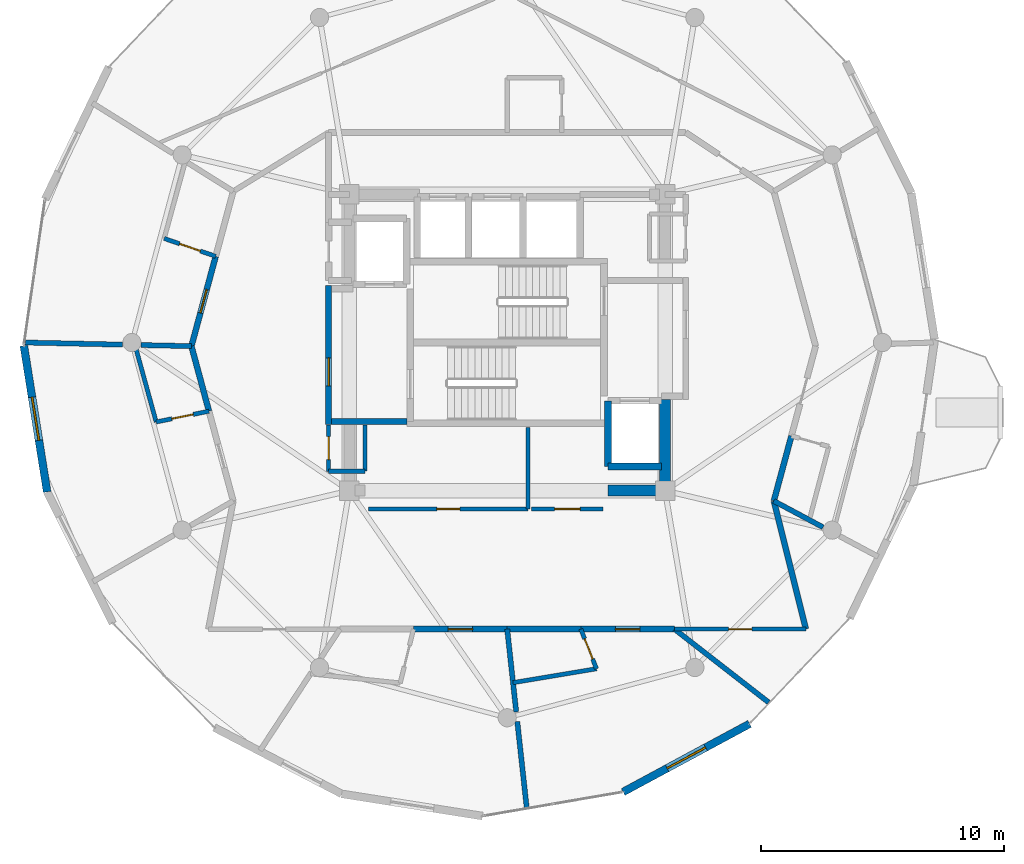
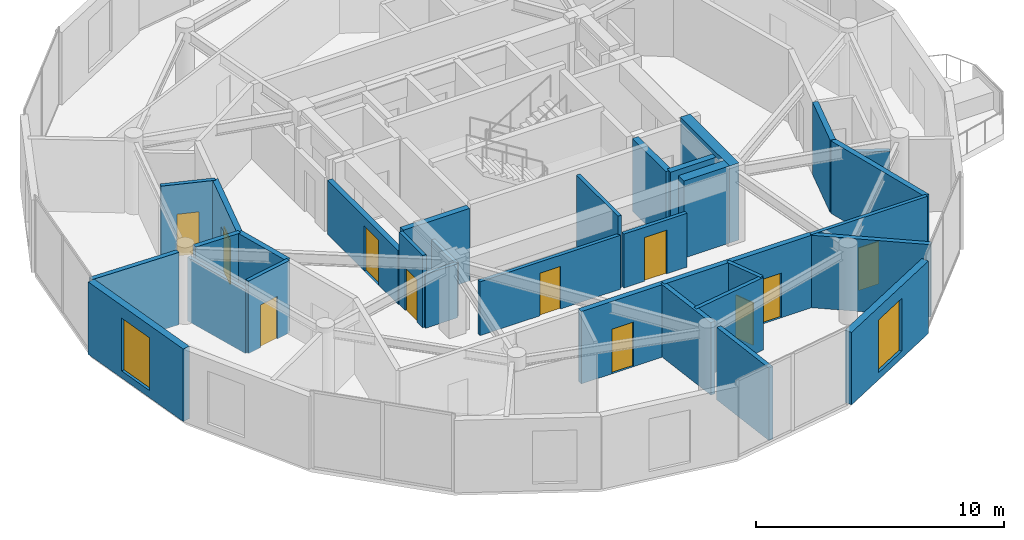
# One storey, part 17 of 22: 33 walls, 11 doors, 2 windows, 13 openings.
"""IFC4 building model written with IfcOpenShell, lengths in metres."""

from ifc_helpers import new_model, si_unit, direction, frame, frame_2d, origin, place, context, subcontext, project, spatial, rectangle, extrude, material, layer, layer_set, type_object, element, fill, save


model = new_model("IFC4")

# Units and contexts
model_context = context("Model", 3, precision=1e-05, world=origin(), true_north=direction((0.0, 1.0)))
body_context = subcontext(model_context, "Body", "Model", "MODEL_VIEW")
ifc_project = project(units=[si_unit("LENGTHUNIT", "METRE"), si_unit("AREAUNIT", "SQUARE_METRE"), si_unit("VOLUMEUNIT", "CUBIC_METRE"), si_unit("PLANEANGLEUNIT", "RADIAN"), si_unit("MASSUNIT", "GRAM", prefix="KILO")], contexts=[model_context])

# Site, building, storey
site_placement = place(None, origin())
site = spatial("IfcSite", under=ifc_project, at=site_placement, CompositionType="ELEMENT")
building_placement = place(site_placement, origin())
building = spatial("IfcBuilding", under=site, at=building_placement, Name="Solvirekh Grand Hotel", CompositionType="ELEMENT")
storey_placement = place(building_placement, frame((0.0, 0.0, 278.199951171875)))
storey = spatial("IfcBuildingStorey", under=building, at=storey_placement, Name="L72", CompositionType="ELEMENT", Elevation=278.199951171875)

# Walls
ifc_material_1 = material(Name="Concrete C40/50", Category="concrete")
ifc_layer_1 = layer(ifc_material_1, 0.280029296875)
ifc_layer_set_1 = layer_set([ifc_layer_1], Name="Concrete C40/50")
wall_type_1 = type_object("IfcWallType", Name="CoreShaftWall_RC280", PredefinedType="SOLIDWALL", material=ifc_layer_set_1)
wall_1_placement = place(storey_placement, frame((4.14990234375, -5.10009765625, 0.0), z_axis=(0.0, 0.0, 1.0), x_axis=(1.0, 0.0, 0.0)))
element("IfcWall", 1, at=wall_1_placement, inside=storey, type_object=wall_type_1, Name="L72 FL-2 hoistway S wall", PredefinedType="SOLIDWALL", context=body_context, shape_type="SweptSolid", body=[
    extrude(rectangle(XDim=2.2001953125, YDim=0.280029296875, at=frame_2d((1.10009765625, 0.0))), origin(), (0.0, 0.0, 1.0), 3.570068359375),
])
wall_2_placement = place(storey_placement, frame((4.14990234375, -2.39990234375, 0.0), z_axis=(0.0, 0.0, 1.0), x_axis=(0.0, -1.0, 0.0)))
element("IfcWall", 2, at=wall_2_placement, inside=storey, type_object=wall_type_1, Name="L72 FL-2 hoistway W wall", PredefinedType="SOLIDWALL", context=body_context, shape_type="SweptSolid", body=[
    extrude(rectangle(XDim=2.7001953125, YDim=0.280029296875, at=frame_2d((1.35009765625, 0.0))), origin(), (0.0, 0.0, 1.0), 3.570068359375),
])
ifc_material_2 = material(Name="Concrete C50/60", Category="concrete")
ifc_layer_2 = layer(ifc_material_2, 0.449951171875)
ifc_layer_set_2 = layer_set([ifc_layer_2], Name="Concrete C50/60")
wall_type_2 = type_object("IfcWallType", Name="CoreWall_RC450", PredefinedType="SHEAR", material=ifc_layer_set_2)
wall_3_placement = place(storey_placement, frame((4.14990234375, -6.10009765625, 0.0), z_axis=(0.0, 0.0, 1.0), x_axis=(1.0, 0.0, 0.0)))
element("IfcWall", 3, at=wall_3_placement, inside=storey, type_object=wall_type_2, Name="L72 core corner shear wall SE-S", PredefinedType="SHEAR", context=body_context, shape_type="SweptSolid", body=[
    extrude(rectangle(XDim=2.125, YDim=0.449951171875, at=frame_2d((1.0625, 0.0))), origin(), (0.0, 0.0, 1.0), 3.800048828125),
])
wall_4_placement = place(storey_placement, frame((6.5, -6.324951171875, 0.0), z_axis=(0.0, 0.0, 1.0), x_axis=(0.0, 1.0, 0.0)))
element("IfcWall", 4, at=wall_4_placement, inside=storey, type_object=wall_type_2, Name="L72 core corner shear wall ES-E", PredefinedType="SHEAR", context=body_context, shape_type="SweptSolid", body=[
    extrude(rectangle(XDim=3.974853515625, YDim=0.449951171875, at=frame_2d((1.9873046875, 0.0))), origin(), (0.0, 0.0, 1.0), 3.800048828125),
])

# Wall, opening, window
ifc_material_3 = material(Name="Precast concrete C45/55", Category="concrete")
ifc_layer_3 = layer(ifc_material_3, 0.320068359375)
ifc_layer_set_3 = layer_set([ifc_layer_3], Name="Precast concrete C45/55")
wall_type_3 = type_object("IfcWallType", Name="ExtLobbyWall_RC320", PredefinedType="SOLIDWALL", material=ifc_layer_set_3)
wall_5_placement = place(storey_placement, frame((9.98095703125, -15.698974609375, 0.0), z_axis=(0.0, 0.0, 1.0), x_axis=(-0.880358436165, -0.474308996196, 0.0)))
wall_5 = element("IfcWall", 5, at=wall_5_placement, inside=storey, type_object=wall_type_3, Name="L72 exterior structural wall chord 2", PredefinedType="SOLIDWALL", context=body_context, shape_type="SweptSolid", body=[
    extrude(rectangle(XDim=5.915771484375, YDim=0.320068359375, at=frame_2d((2.9580078125, 0.0))), origin(), (0.0, 0.0, 1.0), 3.570068359375),
])
opening_1_placement = place(wall_5_placement, frame((2.05810546875, 0.0, 0.35009765625)))
opening_1 = element("IfcOpeningElement", 6, at=opening_1_placement, cuts=wall_5, Name="Opening W02", PredefinedType="OPENING", context=body_context, shape_type="SweptSolid", body=[
    extrude(rectangle(XDim=1.800048828125, YDim=2.60009765625, at=frame_2d((0.89990234375, 1.300048828125))), frame((0.0, 0.169921875, 0.0), z_axis=(0.0, -1.0, 0.0), x_axis=(1.0, 0.0, 0.0)), (0.0, 0.0, 1.0), 0.340087890625),
])
ifc_material_4 = material(Name="Low-E Tinted Bronze Laminated Glass", Category="aluminium")
window_type = type_object("IfcWindowType", Name="Win_LobbyExt_1800X2600", PartitioningType="SINGLE_PANEL", PredefinedType="WINDOW", material=ifc_material_4)
window_1_placement = place(opening_1_placement, origin())
window_1 = element("IfcWindow", 7, at=window_1_placement, inside=storey, type_object=window_type, Name="L72 panoramic bronze-framed window 2", OverallHeight=2.60009765625, OverallWidth=1.800048828125, PartitioningType="SINGLE_PANEL", PredefinedType="WINDOW", context=body_context, shape_type="SweptSolid", body=[
    extrude(rectangle(XDim=1.800048828125, YDim=2.60009765625, at=frame_2d((0.89990234375, 1.300048828125))), frame((0.0, 0.030029296875, 0.0), z_axis=(0.0, -1.0, 0.0), x_axis=(1.0, 0.0, 0.0)), (0.0, 0.0, 1.0), 0.06005859375),
])
fill(opening_1, window_1)

wall_6_placement = place(storey_placement, frame((-18.93994140625, -6.14990234375, 0.0), z_axis=(0.0, 0.0, 1.0), x_axis=(-0.157503052102, 0.987518500373, 0.0)))
wall_6 = element("IfcWall", 8, at=wall_6_placement, inside=storey, type_object=wall_type_3, Name="L72 exterior structural wall chord 16", PredefinedType="SOLIDWALL", context=body_context, shape_type="SweptSolid", body=[
    extrude(rectangle(XDim=6.094970703125, YDim=0.320068359375, at=frame_2d((3.04736328125, 0.0))), origin(), (0.0, 0.0, 1.0), 3.570068359375),
])
opening_2_placement = place(wall_6_placement, frame((2.14794921875, 0.0, 0.35009765625)))
opening_2 = element("IfcOpeningElement", 9, at=opening_2_placement, cuts=wall_6, Name="Opening W02", PredefinedType="OPENING", context=body_context, shape_type="SweptSolid", body=[
    extrude(rectangle(XDim=1.800048828125, YDim=2.60009765625, at=frame_2d((0.89990234375, 1.300048828125))), frame((0.0, 0.169921875, 0.0), z_axis=(0.0, -1.0, 0.0), x_axis=(1.0, 0.0, 0.0)), (0.0, 0.0, 1.0), 0.340087890625),
])
window_2_placement = place(opening_2_placement, origin())
window_2 = element("IfcWindow", 10, at=window_2_placement, inside=storey, type_object=window_type, Name="L72 panoramic bronze-framed window 16", OverallHeight=2.60009765625, OverallWidth=1.800048828125, PartitioningType="SINGLE_PANEL", PredefinedType="WINDOW", context=body_context, shape_type="SweptSolid", body=[
    extrude(rectangle(XDim=1.800048828125, YDim=2.60009765625, at=frame_2d((0.89990234375, 1.300048828125))), frame((0.0, 0.030029296875, 0.0), z_axis=(0.0, -1.0, 0.0), x_axis=(1.0, 0.0, 0.0)), (0.0, 0.0, 1.0), 0.06005859375),
])
fill(opening_2, window_2)

# Walls
ifc_material_5 = material(Name="Acoustic Gypsum Partition Assembly")
ifc_layer_4 = layer(ifc_material_5, 0.1650390625)
ifc_layer_set_4 = layer_set([ifc_layer_4], Name="Acoustic Gypsum Partition Assembly")
wall_type_4 = type_object("IfcWallType", Name="Part_BOH_165", PredefinedType="PARTITIONING", material=ifc_layer_set_4)
wall_7_placement = place(storey_placement, frame((-7.35009765625, -5.300048828125, 0.0), z_axis=(0.0, 0.0, 1.0), x_axis=(1.0, 0.0, 0.0)))
element("IfcWall", 11, at=wall_7_placement, inside=storey, type_object=wall_type_4, Name="L72 L72 Butler Service Closet wall 1", PredefinedType="PARTITIONING", context=body_context, shape_type="SweptSolid", body=[
    extrude(rectangle(XDim=1.5, YDim=0.1650390625, at=frame_2d((0.75, 0.0))), origin(), (0.0, 0.0, 1.0), 2.655029296875),
])
wall_8_placement = place(storey_placement, frame((-5.85009765625, -5.300048828125, 0.0), z_axis=(0.0, 0.0, 1.0), x_axis=(0.0, 1.0, 0.0)))
element("IfcWall", 12, at=wall_8_placement, inside=storey, type_object=wall_type_4, Name="L72 L72 Butler Service Closet wall 2", PredefinedType="PARTITIONING", context=body_context, shape_type="SweptSolid", body=[
    extrude(rectangle(XDim=1.900146484375, YDim=0.1650390625, at=frame_2d((0.9501953125, 0.0))), origin(), (0.0, 0.0, 1.0), 2.655029296875),
])

# Wall, opening, door
wall_9_placement = place(storey_placement, frame((-7.35009765625, -3.39990234375, 0.0), z_axis=(0.0, 0.0, 1.0), x_axis=(0.0, -1.0, 0.0)))
wall_9 = element("IfcWall", 13, at=wall_9_placement, inside=storey, type_object=wall_type_4, Name="L72 L72 Butler Service Closet wall 4", PredefinedType="PARTITIONING", context=body_context, shape_type="SweptSolid", body=[
    extrude(rectangle(XDim=1.900146484375, YDim=0.1650390625, at=frame_2d((0.9501953125, 0.0))), origin(), (0.0, 0.0, 1.0), 3.570068359375),
])
opening_3_placement = place(wall_9_placement, frame((0.47509765625, 0.0, 0.0)))
opening_3 = element("IfcOpeningElement", 14, at=opening_3_placement, cuts=wall_9, Name="Opening D10", PredefinedType="OPENING", context=body_context, shape_type="SweptSolid", body=[
    extrude(rectangle(XDim=0.949951171875, YDim=2.10009765625, at=frame_2d((0.47509765625, 1.050048828125))), frame((0.0, 0.092529296875, 0.0), z_axis=(0.0, -1.0, 0.0), x_axis=(1.0, 0.0, 0.0)), (0.0, 0.0, 1.0), 0.18505859375),
])
ifc_material_6 = material(Name="Anodized Bronze Aluminium 6063-T6", Category="aluminium")
door_type_1 = type_object("IfcDoorType", Name="Door_RoomInt_950X2100", OperationType="NOTDEFINED", PredefinedType="DOOR", material=ifc_material_6)
door_1_placement = place(opening_3_placement, origin())
door_1 = element("IfcDoor", 15, at=door_1_placement, inside=storey, type_object=door_type_1, Name="L72 L72 Butler Service Closet door", OperationType="SINGLE_SWING_RIGHT", OverallHeight=2.10009765625, OverallWidth=0.949951171875, PredefinedType="DOOR", context=body_context, shape_type="SweptSolid", body=[
    extrude(rectangle(XDim=0.949951171875, YDim=2.10009765625, at=frame_2d((0.47509765625, 1.050048828125))), frame((0.0, 0.02490234375, 0.0), z_axis=(0.0, -1.0, 0.0), x_axis=(1.0, 0.0, 0.0)), (0.0, 0.0, 1.0), 0.050048828125),
])
fill(opening_3, door_1)

wall_10_placement = place(storey_placement, frame((-5.699951171875, -6.85009765625, 0.0), z_axis=(0.0, 0.0, 1.0), x_axis=(1.0, 0.0, 0.0)))
wall_10 = element("IfcWall", 16, at=wall_10_placement, inside=storey, type_object=wall_type_4, Name="L72 Housekeeping Linen Room wall 1", PredefinedType="PARTITIONING", context=body_context, shape_type="SweptSolid", body=[
    extrude(rectangle(XDim=6.550048828125, YDim=0.1650390625, at=frame_2d((3.27490234375, 0.0))), origin(), (0.0, 0.0, 1.0), 2.655029296875),
])
opening_4_placement = place(wall_10_placement, frame((2.800048828125, 0.0, 0.0)))
opening_4 = element("IfcOpeningElement", 17, at=opening_4_placement, cuts=wall_10, Name="Opening D10", PredefinedType="OPENING", context=body_context, shape_type="SweptSolid", body=[
    extrude(rectangle(XDim=0.949951171875, YDim=2.10009765625, at=frame_2d((0.47509765625, 1.050048828125))), frame((0.0, 0.092529296875, 0.0), z_axis=(0.0, -1.0, 0.0), x_axis=(1.0, 0.0, 0.0)), (0.0, 0.0, 1.0), 0.18505859375),
])
door_2_placement = place(opening_4_placement, origin())
door_2 = element("IfcDoor", 18, at=door_2_placement, inside=storey, type_object=door_type_1, Name="L72 Housekeeping Linen Room door", OperationType="SINGLE_SWING_RIGHT", OverallHeight=2.10009765625, OverallWidth=0.949951171875, PredefinedType="DOOR", context=body_context, shape_type="SweptSolid", body=[
    extrude(rectangle(XDim=0.949951171875, YDim=2.10009765625, at=frame_2d((0.47509765625, 1.050048828125))), frame((0.0, 0.02490234375, 0.0), z_axis=(0.0, -1.0, 0.0), x_axis=(1.0, 0.0, 0.0)), (0.0, 0.0, 1.0), 0.050048828125),
])
fill(opening_4, door_2)

# Wall
wall_11_placement = place(storey_placement, frame((0.85009765625, -6.85009765625, 0.0), z_axis=(0.0, 0.0, 1.0), x_axis=(0.0, 1.0, 0.0)))
element("IfcWall", 19, at=wall_11_placement, inside=storey, type_object=wall_type_4, Name="L72 Housekeeping Linen Room wall 2", PredefinedType="PARTITIONING", context=body_context, shape_type="SweptSolid", body=[
    extrude(rectangle(XDim=3.35009765625, YDim=0.1650390625, at=frame_2d((1.675048828125, 0.0))), origin(), (0.0, 0.0, 1.0), 3.570068359375),
])

# Wall, opening, door
wall_12_placement = place(storey_placement, frame((1.0, -6.85009765625, 0.0), z_axis=(0.0, 0.0, 1.0), x_axis=(1.0, 0.0, 0.0)))
wall_12 = element("IfcWall", 20, at=wall_12_placement, inside=storey, type_object=wall_type_4, Name="L72 Chilled Water Manifold Room wall 1", PredefinedType="PARTITIONING", context=body_context, shape_type="SweptSolid", body=[
    extrude(rectangle(XDim=2.949951171875, YDim=0.1650390625, at=frame_2d((1.47509765625, 0.0))), origin(), (0.0, 0.0, 1.0), 2.655029296875),
])
opening_5_placement = place(wall_12_placement, frame((0.949951171875, 0.0, 0.0)))
opening_5 = element("IfcOpeningElement", 21, at=opening_5_placement, cuts=wall_12, Name="Opening D12", PredefinedType="OPENING", context=body_context, shape_type="SweptSolid", body=[
    extrude(rectangle(XDim=1.050048828125, YDim=2.14990234375, at=frame_2d((0.52490234375, 1.074951171875))), frame((0.0, 0.092529296875, 0.0), z_axis=(0.0, -1.0, 0.0), x_axis=(1.0, 0.0, 0.0)), (0.0, 0.0, 1.0), 0.18505859375),
])
ifc_material_7 = material(Name="Fire-Rated Steel Door Assembly", Category="steel")
door_type_2 = type_object("IfcDoorType", Name="Door_PlantBOH_1050X2150", OperationType="NOTDEFINED", PredefinedType="DOOR", material=ifc_material_7)
door_3_placement = place(opening_5_placement, origin())
door_3 = element("IfcDoor", 22, at=door_3_placement, inside=storey, type_object=door_type_2, Name="L72 Chilled Water Manifold Room door", OperationType="SINGLE_SWING_LEFT", OverallHeight=2.14990234375, OverallWidth=1.050048828125, PredefinedType="DOOR", context=body_context, shape_type="SweptSolid", body=[
    extrude(rectangle(XDim=1.050048828125, YDim=2.14990234375, at=frame_2d((0.52490234375, 1.074951171875))), frame((0.0, 0.02490234375, 0.0), z_axis=(0.0, -1.0, 0.0), x_axis=(1.0, 0.0, 0.0)), (0.0, 0.0, 1.0), 0.050048828125),
])
fill(opening_5, door_3)

wall_13_placement = place(storey_placement, frame((6.887939453125, -11.800048828125, 0.0), z_axis=(0.0, 0.0, 1.0), x_axis=(1.0, 0.0, 0.0)))
wall_13 = element("IfcWall", 23, at=wall_13_placement, inside=storey, type_object=wall_type_4, Name="L72 L72 Butler Valet & Linen Steward Room entrance wall", PredefinedType="PARTITIONING", context=body_context, shape_type="SweptSolid", body=[
    extrude(rectangle(XDim=5.412109375, YDim=0.1650390625, at=frame_2d((2.7060546875, 0.0))), origin(), (0.0, 0.0, 1.0), 3.570068359375),
])
opening_6_placement = place(wall_13_placement, frame((2.23095703125, 0.0, 0.0)))
opening_6 = element("IfcOpeningElement", 24, at=opening_6_placement, cuts=wall_13, Name="Opening D10", PredefinedType="OPENING", context=body_context, shape_type="SweptSolid", body=[
    extrude(rectangle(XDim=0.949951171875, YDim=2.10009765625, at=frame_2d((0.47509765625, 1.050048828125))), frame((0.0, 0.092529296875, 0.0), z_axis=(0.0, -1.0, 0.0), x_axis=(1.0, 0.0, 0.0)), (0.0, 0.0, 1.0), 0.18505859375),
])
door_4_placement = place(opening_6_placement, origin())
door_4 = element("IfcDoor", 25, at=door_4_placement, inside=storey, type_object=door_type_1, Name="L72 L72 Butler Valet & Linen Steward Room entrance door", OperationType="SINGLE_SWING_LEFT", OverallHeight=2.10009765625, OverallWidth=0.949951171875, PredefinedType="DOOR", context=body_context, shape_type="SweptSolid", body=[
    extrude(rectangle(XDim=0.949951171875, YDim=2.10009765625, at=frame_2d((0.47509765625, 1.050048828125))), frame((0.0, 0.02490234375, 0.0), z_axis=(0.0, -1.0, 0.0), x_axis=(1.0, 0.0, 0.0)), (0.0, 0.0, 1.0), 0.050048828125),
])
fill(opening_6, door_4)

ifc_layer_5 = layer(ifc_material_5, 0.239990234375)
ifc_layer_set_5 = layer_set([ifc_layer_5], Name="Acoustic Gypsum Partition Assembly")
wall_type_5 = type_object("IfcWallType", Name="Part_Corridor_240", PredefinedType="PARTITIONING", material=ifc_layer_set_5)
wall_14_placement = place(storey_placement, frame((-7.35009765625, -3.3798828125, 0.0), z_axis=(0.0, 0.0, 1.0), x_axis=(0.0, 1.0, 0.0)))
wall_14 = element("IfcWall", 26, at=wall_14_placement, inside=storey, type_object=wall_type_5, Name="L72 west firefighting lobby smoke screen wall", PredefinedType="PARTITIONING", context=body_context, shape_type="SweptSolid", body=[
    extrude(rectangle(XDim=5.719970703125, YDim=0.239990234375, at=frame_2d((2.85986328125, 0.0))), origin(), (0.0, 0.0, 1.0), 2.655029296875),
])
opening_7_placement = place(wall_14_placement, frame((1.59912109375, 0.0, 0.0)))
opening_7 = element("IfcOpeningElement", 27, at=opening_7_placement, cuts=wall_14, Name="Opening D06", PredefinedType="OPENING", context=body_context, shape_type="SweptSolid", body=[
    extrude(rectangle(XDim=1.14990234375, YDim=2.199951171875, at=frame_2d((0.574951171875, 1.10009765625))), frame((0.0, 0.1298828125, 0.0), z_axis=(0.0, -1.0, 0.0), x_axis=(1.0, 0.0, 0.0)), (0.0, 0.0, 1.0), 0.260009765625),
])
door_type_3 = type_object("IfcDoorType", Name="Door_FFLobby_1150X2200", OperationType="NOTDEFINED", PredefinedType="DOOR", material=ifc_material_7)
door_5_placement = place(opening_7_placement, origin())
door_5 = element("IfcDoor", 28, at=door_5_placement, inside=storey, type_object=door_type_3, Name="L72 west firefighting lobby smoke door", OperationType="SINGLE_SWING_LEFT", OverallHeight=2.199951171875, OverallWidth=1.14990234375, PredefinedType="DOOR", context=body_context, shape_type="SweptSolid", body=[
    extrude(rectangle(XDim=1.14990234375, YDim=2.199951171875, at=frame_2d((0.574951171875, 1.10009765625))), frame((0.0, 0.02490234375, 0.0), z_axis=(0.0, -1.0, 0.0), x_axis=(1.0, 0.0, 0.0)), (0.0, 0.0, 1.0), 0.050048828125),
])
fill(opening_7, door_5)

wall_15_placement = place(storey_placement, frame((-12.0009765625, 3.547119140625, 0.0), z_axis=(0.0, 0.0, 1.0), x_axis=(-0.260867276747, -0.96537467541, 0.0)))
wall_15 = element("IfcWall", 29, at=wall_15_placement, inside=storey, type_object=wall_type_5, Name="L72 Deluxe Guestroom 7402 entrance wall", PredefinedType="PARTITIONING", context=body_context, shape_type="SweptSolid", body=[
    extrude(rectangle(XDim=3.82958984375, YDim=0.239990234375, at=frame_2d((1.914794921875, 0.0))), origin(), (0.0, 0.0, 1.0), 3.570068359375),
])
opening_8_placement = place(wall_15_placement, frame((1.4150390625, 0.0, 0.0)))
opening_8 = element("IfcOpeningElement", 30, at=opening_8_placement, cuts=wall_15, Name="Opening D07", PredefinedType="OPENING", context=body_context, shape_type="SweptSolid", body=[
    extrude(rectangle(XDim=1.0, YDim=2.199951171875, at=frame_2d((0.5, 1.10009765625))), frame((0.0, 0.1298828125, 0.0), z_axis=(0.0, -1.0, 0.0), x_axis=(1.0, 0.0, 0.0)), (0.0, 0.0, 1.0), 0.260009765625),
])
door_type_4 = type_object("IfcDoorType", Name="Door_GuestEntry_1000X2200", OperationType="NOTDEFINED", PredefinedType="DOOR", material=ifc_material_7)
door_6_placement = place(opening_8_placement, origin())
door_6 = element("IfcDoor", 31, at=door_6_placement, inside=storey, type_object=door_type_4, Name="L72 Deluxe Guestroom 7402 entrance door", OperationType="SINGLE_SWING_LEFT", OverallHeight=2.199951171875, OverallWidth=1.0, PredefinedType="DOOR", context=body_context, shape_type="SweptSolid", body=[
    extrude(rectangle(XDim=1.0, YDim=2.199951171875, at=frame_2d((0.5, 1.10009765625))), frame((0.0, 0.02490234375, 0.0), z_axis=(0.0, -1.0, 0.0), x_axis=(1.0, 0.0, 0.0)), (0.0, 0.0, 1.0), 0.050048828125),
])
fill(opening_8, door_6)

# Walls
for number, where, z_axis, x_axis, name in (
    (32, (-13.0, -0.14990234375, 0.0), (0.0, 0.0, 1.0), (0.260702780503, -0.965419111183, 0.0), "L72 En-suite Bathroom 7403 corridor backing wall"),
    (33, (10.97802734375, -6.52490234375, 0.0), (0.0, 0.0, 1.0), (0.260702780503, 0.965419111183, 0.0), "L72 En-suite Bathroom 7404 corridor backing wall"),
):
    element("IfcWall", number, at=place(storey_placement, frame(where, z_axis=z_axis, x_axis=x_axis)), inside=storey, type_object=wall_type_5, Name=name, PredefinedType="PARTITIONING", context=body_context, shape_type="SweptSolid", body=[
        extrude(rectangle(XDim=2.77294921875, YDim=0.239990234375, at=frame_2d((1.386474609375, 0.0))), origin(), (0.0, 0.0, 1.0), 3.570068359375),
    ])

# Wall, opening, door
wall_16_placement = place(storey_placement, frame((-3.85693359375, -11.800048828125, 0.0), z_axis=(0.0, 0.0, 1.0), x_axis=(1.0, 0.0, 0.0)))
wall_16 = element("IfcWall", 34, at=wall_16_placement, inside=storey, type_object=wall_type_5, Name="L72 Deluxe Guestroom 7405 entrance wall", PredefinedType="PARTITIONING", context=body_context, shape_type="SweptSolid", body=[
    extrude(rectangle(XDim=3.85693359375, YDim=0.239990234375, at=frame_2d((1.928466796875, 0.0))), origin(), (0.0, 0.0, 1.0), 3.570068359375),
])
opening_9_placement = place(wall_16_placement, frame((1.428955078125, 0.0, 0.0)))
opening_9 = element("IfcOpeningElement", 35, at=opening_9_placement, cuts=wall_16, Name="Opening D07", PredefinedType="OPENING", context=body_context, shape_type="SweptSolid", body=[
    extrude(rectangle(XDim=1.0, YDim=2.199951171875, at=frame_2d((0.5, 1.10009765625))), frame((0.0, 0.1298828125, 0.0), z_axis=(0.0, -1.0, 0.0), x_axis=(1.0, 0.0, 0.0)), (0.0, 0.0, 1.0), 0.260009765625),
])
door_7_placement = place(opening_9_placement, origin())
door_7 = element("IfcDoor", 36, at=door_7_placement, inside=storey, type_object=door_type_4, Name="L72 Deluxe Guestroom 7405 entrance door", OperationType="SINGLE_SWING_RIGHT", OverallHeight=2.199951171875, OverallWidth=1.0, PredefinedType="DOOR", context=body_context, shape_type="SweptSolid", body=[
    extrude(rectangle(XDim=1.0, YDim=2.199951171875, at=frame_2d((0.5, 1.10009765625))), frame((0.0, 0.02490234375, 0.0), z_axis=(0.0, -1.0, 0.0), x_axis=(1.0, 0.0, 0.0)), (0.0, 0.0, 1.0), 0.050048828125),
])
fill(opening_9, door_7)

# Wall
wall_17_placement = place(storey_placement, frame((0.0, -11.800048828125, 0.0), z_axis=(0.0, 0.0, 1.0), x_axis=(1.0, 0.0, 0.0)))
element("IfcWall", 37, at=wall_17_placement, inside=storey, type_object=wall_type_5, Name="L72 En-suite Bathroom 7406 corridor backing wall", PredefinedType="PARTITIONING", context=body_context, shape_type="SweptSolid", body=[
    extrude(rectangle(XDim=3.031005859375, YDim=0.239990234375, at=frame_2d((1.515625, 0.0))), origin(), (0.0, 0.0, 1.0), 3.570068359375),
])

# Wall, opening, door
wall_18_placement = place(storey_placement, frame((3.031005859375, -11.800048828125, 0.0), z_axis=(0.0, 0.0, 1.0), x_axis=(1.0, 0.0, 0.0)))
wall_18 = element("IfcWall", 38, at=wall_18_placement, inside=storey, type_object=wall_type_5, Name="L72 Deluxe Guestroom 7406 entrance wall", PredefinedType="PARTITIONING", context=body_context, shape_type="SweptSolid", body=[
    extrude(rectangle(XDim=3.85693359375, YDim=0.239990234375, at=frame_2d((1.928466796875, 0.0))), origin(), (0.0, 0.0, 1.0), 3.570068359375),
])
opening_10_placement = place(wall_18_placement, frame((1.427978515625, 0.0, 0.0)))
opening_10 = element("IfcOpeningElement", 39, at=opening_10_placement, cuts=wall_18, Name="Opening D07", PredefinedType="OPENING", context=body_context, shape_type="SweptSolid", body=[
    extrude(rectangle(XDim=1.0, YDim=2.199951171875, at=frame_2d((0.5, 1.10009765625))), frame((0.0, 0.1298828125, 0.0), z_axis=(0.0, -1.0, 0.0), x_axis=(1.0, 0.0, 0.0)), (0.0, 0.0, 1.0), 0.260009765625),
])
door_8_placement = place(opening_10_placement, origin())
door_8 = element("IfcDoor", 40, at=door_8_placement, inside=storey, type_object=door_type_4, Name="L72 Deluxe Guestroom 7406 entrance door", OperationType="SINGLE_SWING_RIGHT", OverallHeight=2.199951171875, OverallWidth=1.0, PredefinedType="DOOR", context=body_context, shape_type="SweptSolid", body=[
    extrude(rectangle(XDim=1.0, YDim=2.199951171875, at=frame_2d((0.5, 1.10009765625))), frame((0.0, 0.02490234375, 0.0), z_axis=(0.0, -1.0, 0.0), x_axis=(1.0, 0.0, 0.0)), (0.0, 0.0, 1.0), 0.050048828125),
])
fill(opening_10, door_8)

# Walls
wall_19_placement = place(storey_placement, frame((12.300048828125, -11.800048828125, 0.0), z_axis=(0.0, 0.0, 1.0), x_axis=(-0.243095426382, 0.970002378179, 0.0)))
element("IfcWall", 41, at=wall_19_placement, inside=storey, type_object=wall_type_5, Name="L72 L72 Butler Valet & Linen Steward Room corridor wall 1", PredefinedType="PARTITIONING", context=body_context, shape_type="SweptSolid", body=[
    extrude(rectangle(XDim=5.438232421875, YDim=0.239990234375, at=frame_2d((2.71923828125, 0.0))), origin(), (0.0, 0.0, 1.0), 3.570068359375),
])
ifc_layer_6 = layer(ifc_material_5, 0.260009765625)
ifc_layer_set_6 = layer_set([ifc_layer_6], Name="Acoustic Gypsum Partition Assembly")
wall_type_6 = type_object("IfcWallType", Name="Part_LobbyFF_260", PredefinedType="PARTITIONING", material=ifc_layer_set_6)
wall_20_placement = place(storey_placement, frame((-7.22509765625, -3.25, 0.0), z_axis=(0.0, 0.0, 1.0), x_axis=(1.0, 0.0, 0.0)))
element("IfcWall", 42, at=wall_20_placement, inside=storey, type_object=wall_type_6, Name="L72 west firefighting lobby south partition", PredefinedType="PARTITIONING", context=body_context, shape_type="SweptSolid", body=[
    extrude(rectangle(XDim=3.09521484375, YDim=0.260009765625, at=frame_2d((1.547607421875, 0.0))), origin(), (0.0, 0.0, 1.0), 3.570068359375),
])
ifc_layer_7 = layer(ifc_material_5, 0.2099609375)
ifc_layer_set_7 = layer_set([ifc_layer_7], Name="Acoustic Gypsum Partition Assembly")
wall_type_7 = type_object("IfcWallType", Name="Part_SuiteDemise_210", PredefinedType="PARTITIONING", material=ifc_layer_set_7)
wall_21_placement = place(storey_placement, frame((-13.0, -0.14990234375, 0.0), z_axis=(0.0, 0.0, 1.0), x_axis=(-0.999764401383, 0.021705799393, 0.0)))
element("IfcWall", 43, at=wall_21_placement, inside=storey, type_object=wall_type_7, Name="L72 suite radial wall 7 (A)", PredefinedType="PARTITIONING", context=body_context, shape_type="SweptSolid", body=[
    extrude(rectangle(XDim=2.069580078125, YDim=0.2099609375, at=frame_2d((1.03466796875, 0.0))), origin(), (0.0, 0.0, 1.0), 3.570068359375),
])
wall_22_placement = place(storey_placement, frame((-15.8349609375, -0.087890625, 0.0), z_axis=(0.0, 0.0, 1.0), x_axis=(-0.99975942304, 0.021933901657, 0.0)))
element("IfcWall", 44, at=wall_22_placement, inside=storey, type_object=wall_type_7, Name="L72 suite radial wall 7 (B)", PredefinedType="PARTITIONING", context=body_context, shape_type="SweptSolid", body=[
    extrude(rectangle(XDim=4.007080078125, YDim=0.2099609375, at=frame_2d((2.00341796875, 0.0))), origin(), (0.0, 0.0, 1.0), 3.570068359375),
])
wall_23_placement = place(storey_placement, frame((10.97802734375, -6.52490234375, 0.0), z_axis=(0.0, 0.0, 1.0), x_axis=(0.882152653626, -0.470963582138, 0.0)))
element("IfcWall", 45, at=wall_23_placement, inside=storey, type_object=wall_type_7, Name="L72 suite radial wall 12 (A)", PredefinedType="PARTITIONING", context=body_context, shape_type="SweptSolid", body=[
    extrude(rectangle(XDim=2.29541015625, YDim=0.2099609375, at=frame_2d((1.147705078125, 0.0))), origin(), (0.0, 0.0, 1.0), 3.010986328125),
])
wall_24_placement = place(storey_placement, frame((0.0, -11.800048828125, 0.0), z_axis=(0.0, 0.0, 1.0), x_axis=(0.10853196296, -0.994092959947, 0.0)))
element("IfcWall", 46, at=wall_24_placement, inside=storey, type_object=wall_type_7, Name="L72 Deluxe Guestroom 7405 dividing partition 1 (A)", PredefinedType="PARTITIONING", context=body_context, shape_type="SweptSolid", body=[
    extrude(rectangle(XDim=3.42822265625, YDim=0.2099609375, at=frame_2d((1.714111328125, 0.0))), origin(), (0.0, 0.0, 1.0), 3.570068359375),
])
wall_25_placement = place(storey_placement, frame((0.416015625, -15.60595703125, 0.0), z_axis=(0.0, 0.0, 1.0), x_axis=(0.108633464481, -0.994081873084, 0.0)))
element("IfcWall", 47, at=wall_25_placement, inside=storey, type_object=wall_type_7, Name="L72 Deluxe Guestroom 7405 dividing partition 1 (B)", PredefinedType="PARTITIONING", context=body_context, shape_type="SweptSolid", body=[
    extrude(rectangle(XDim=3.56201171875, YDim=0.2099609375, at=frame_2d((1.781005859375, 0.0))), origin(), (0.0, 0.0, 1.0), 3.570068359375),
])
wall_26_placement = place(storey_placement, frame((6.887939453125, -11.800048828125, 0.0), z_axis=(0.0, 0.0, 1.0), x_axis=(0.789231745567, -0.614095474489, 0.0)))
element("IfcWall", 48, at=wall_26_placement, inside=storey, type_object=wall_type_7, Name="L72 Deluxe Guestroom 7406 dividing partition 1", PredefinedType="PARTITIONING", context=body_context, shape_type="SweptSolid", body=[
    extrude(rectangle(XDim=4.9111328125, YDim=0.2099609375, at=frame_2d((2.45556640625, 0.0))), origin(), (0.0, 0.0, 1.0), 3.570068359375),
])

# Wall, opening, door
ifc_layer_8 = layer(ifc_material_5, 0.175048828125)
ifc_layer_set_8 = layer_set([ifc_layer_8], Name="Acoustic Gypsum Partition Assembly")
wall_type_8 = type_object("IfcWallType", Name="Plumb_Ensuite_175", PredefinedType="PLUMBINGWALL", material=ifc_layer_set_8)
wall_27_placement = place(storey_placement, frame((-12.0009765625, 3.547119140625, 0.0), z_axis=(0.0, 0.0, 1.0), x_axis=(-0.944446900591, 0.328664041178, 0.0)))
wall_27 = element("IfcWall", 49, at=wall_27_placement, inside=storey, type_object=wall_type_8, Name="L72 En-suite Bathroom 7402 entry plumbing wall", PredefinedType="PLUMBINGWALL", context=body_context, shape_type="SweptSolid", body=[
    extrude(rectangle(XDim=2.244873046875, YDim=0.175048828125, at=frame_2d((1.12255859375, 0.0))), origin(), (0.0, 0.0, 1.0), 3.570068359375),
])
opening_11_placement = place(wall_27_placement, frame((0.672119140625, 0.0, 0.0)))
opening_11 = element("IfcOpeningElement", 50, at=opening_11_placement, cuts=wall_27, Name="Opening D09", PredefinedType="OPENING", context=body_context, shape_type="SweptSolid", body=[
    extrude(rectangle(XDim=0.89990234375, YDim=2.10009765625, at=frame_2d((0.449951171875, 1.050048828125))), frame((0.0, 0.09765625, 0.0), z_axis=(0.0, -1.0, 0.0), x_axis=(1.0, 0.0, 0.0)), (0.0, 0.0, 1.0), 0.195068359375),
])
door_type_5 = type_object("IfcDoorType", Name="Door_Ensuite_900X2100", OperationType="NOTDEFINED", PredefinedType="DOOR", material=ifc_material_6)
door_9_placement = place(opening_11_placement, origin())
door_9 = element("IfcDoor", 51, at=door_9_placement, inside=storey, type_object=door_type_5, Name="L72 En-suite Bathroom 7402 door", OperationType="SINGLE_SWING_RIGHT", OverallHeight=2.10009765625, OverallWidth=0.89990234375, PredefinedType="DOOR", context=body_context, shape_type="SweptSolid", body=[
    extrude(rectangle(XDim=0.89990234375, YDim=2.10009765625, at=frame_2d((0.449951171875, 1.050048828125))), frame((0.0, 0.02490234375, 0.0), z_axis=(0.0, -1.0, 0.0), x_axis=(1.0, 0.0, 0.0)), (0.0, 0.0, 1.0), 0.050048828125),
])
fill(opening_11, door_9)

# Wall
wall_28_placement = place(storey_placement, frame((-15.325927734375, -0.09912109375, 0.0), z_axis=(0.0, 0.0, 1.0), x_axis=(0.265852934402, -0.964013598073, 0.0)))
element("IfcWall", 52, at=wall_28_placement, inside=storey, type_object=wall_type_8, Name="L72 En-suite Bathroom 7403 outer plumbing wall", PredefinedType="PLUMBINGWALL", context=body_context, shape_type="SweptSolid", body=[
    extrude(rectangle(XDim=3.291259765625, YDim=0.175048828125, at=frame_2d((1.6455078125, 0.0))), origin(), (0.0, 0.0, 1.0), 3.136962890625),
])

# Wall, opening, door
wall_29_placement = place(storey_placement, frame((-12.277099609375, -2.826904296875, 0.0), z_axis=(0.0, 0.0, 1.0), x_axis=(-0.979677603326, -0.200578646773, 0.0)))
wall_29 = element("IfcWall", 53, at=wall_29_placement, inside=storey, type_object=wall_type_8, Name="L72 En-suite Bathroom 7403 entry plumbing wall", PredefinedType="PLUMBINGWALL", context=body_context, shape_type="SweptSolid", body=[
    extrude(rectangle(XDim=2.218994140625, YDim=0.175048828125, at=frame_2d((1.109375, 0.0))), origin(), (0.0, 0.0, 1.0), 3.570068359375),
])
opening_12_placement = place(wall_29_placement, frame((0.659912109375, 0.0, 0.0)))
opening_12 = element("IfcOpeningElement", 54, at=opening_12_placement, cuts=wall_29, Name="Opening D09", PredefinedType="OPENING", context=body_context, shape_type="SweptSolid", body=[
    extrude(rectangle(XDim=0.89990234375, YDim=2.10009765625, at=frame_2d((0.449951171875, 1.050048828125))), frame((0.0, 0.09765625, 0.0), z_axis=(0.0, -1.0, 0.0), x_axis=(1.0, 0.0, 0.0)), (0.0, 0.0, 1.0), 0.195068359375),
])
door_10_placement = place(opening_12_placement, origin())
door_10 = element("IfcDoor", 55, at=door_10_placement, inside=storey, type_object=door_type_5, Name="L72 En-suite Bathroom 7403 door", OperationType="SINGLE_SWING_RIGHT", OverallHeight=2.10009765625, OverallWidth=0.89990234375, PredefinedType="DOOR", context=body_context, shape_type="SweptSolid", body=[
    extrude(rectangle(XDim=0.89990234375, YDim=2.10009765625, at=frame_2d((0.449951171875, 1.050048828125))), frame((0.0, 0.02490234375, 0.0), z_axis=(0.0, -1.0, 0.0), x_axis=(1.0, 0.0, 0.0)), (0.0, 0.0, 1.0), 0.050048828125),
])
fill(opening_12, door_10)

# Wall
wall_30_placement = place(storey_placement, frame((0.240966796875, -14.00390625, 0.0), z_axis=(0.0, 0.0, 1.0), x_axis=(0.986431772805, 0.164171732042, 0.0)))
element("IfcWall", 56, at=wall_30_placement, inside=storey, type_object=wall_type_8, Name="L72 En-suite Bathroom 7406 outer plumbing wall", PredefinedType="PLUMBINGWALL", context=body_context, shape_type="SweptSolid", body=[
    extrude(rectangle(XDim=3.484375, YDim=0.175048828125, at=frame_2d((1.7421875, 0.0))), origin(), (0.0, 0.0, 1.0), 3.570068359375),
])

# Wall, opening, door
wall_31_placement = place(storey_placement, frame((3.031005859375, -11.800048828125, 0.0), z_axis=(0.0, 0.0, 1.0), x_axis=(0.368559412983, -0.92960419486, 0.0)))
wall_31 = element("IfcWall", 57, at=wall_31_placement, inside=storey, type_object=wall_type_8, Name="L72 En-suite Bathroom 7406 entry plumbing wall", PredefinedType="PLUMBINGWALL", context=body_context, shape_type="SweptSolid", body=[
    extrude(rectangle(XDim=1.75537109375, YDim=0.175048828125, at=frame_2d((0.877685546875, 0.0))), origin(), (0.0, 0.0, 1.0), 3.570068359375),
])
opening_13_placement = place(wall_31_placement, frame((0.427978515625, 0.0, 0.0)))
opening_13 = element("IfcOpeningElement", 58, at=opening_13_placement, cuts=wall_31, Name="Opening D09", PredefinedType="OPENING", context=body_context, shape_type="SweptSolid", body=[
    extrude(rectangle(XDim=0.89990234375, YDim=2.10009765625, at=frame_2d((0.449951171875, 1.050048828125))), frame((0.0, 0.09765625, 0.0), z_axis=(0.0, -1.0, 0.0), x_axis=(1.0, 0.0, 0.0)), (0.0, 0.0, 1.0), 0.195068359375),
])
door_11_placement = place(opening_13_placement, origin())
door_11 = element("IfcDoor", 59, at=door_11_placement, inside=storey, type_object=door_type_5, Name="L72 En-suite Bathroom 7406 door", OperationType="SINGLE_SWING_LEFT", OverallHeight=2.10009765625, OverallWidth=0.89990234375, PredefinedType="DOOR", context=body_context, shape_type="SweptSolid", body=[
    extrude(rectangle(XDim=0.89990234375, YDim=2.10009765625, at=frame_2d((0.449951171875, 1.050048828125))), frame((0.0, 0.02490234375, 0.0), z_axis=(0.0, -1.0, 0.0), x_axis=(1.0, 0.0, 0.0)), (0.0, 0.0, 1.0), 0.050048828125),
])
fill(opening_13, door_11)

save(model, "model.ifc")
